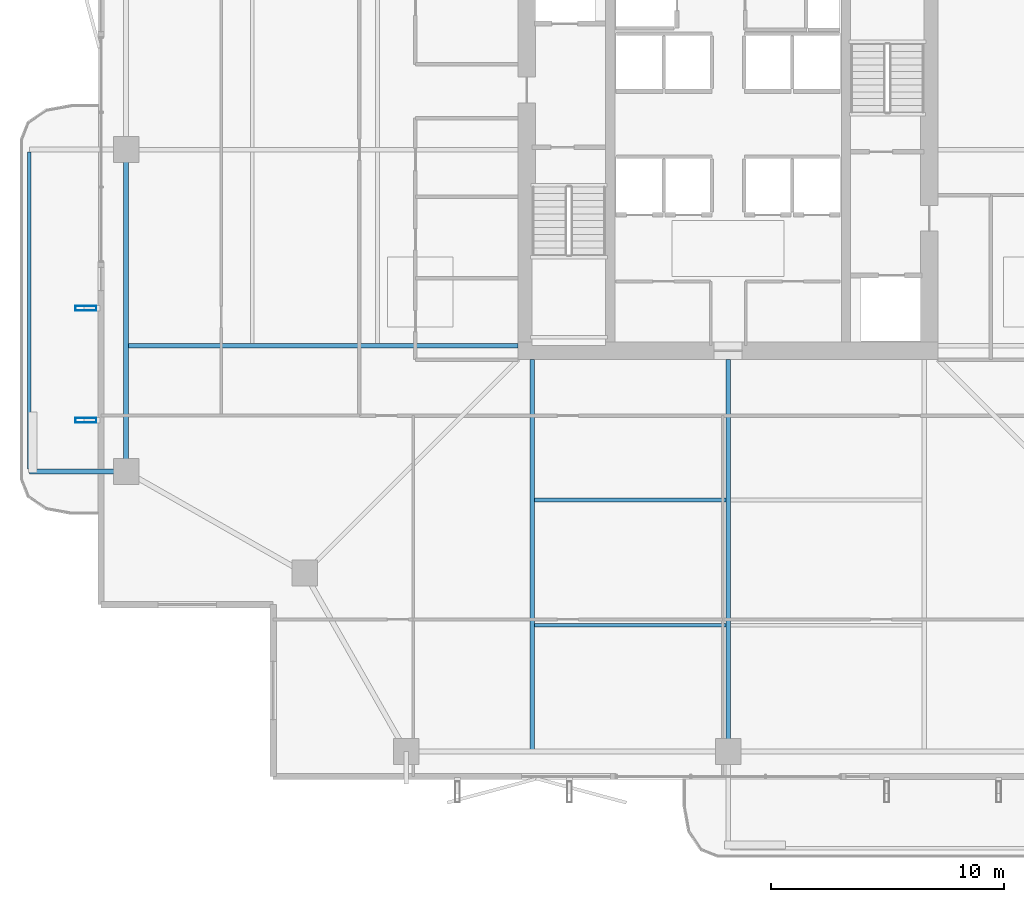
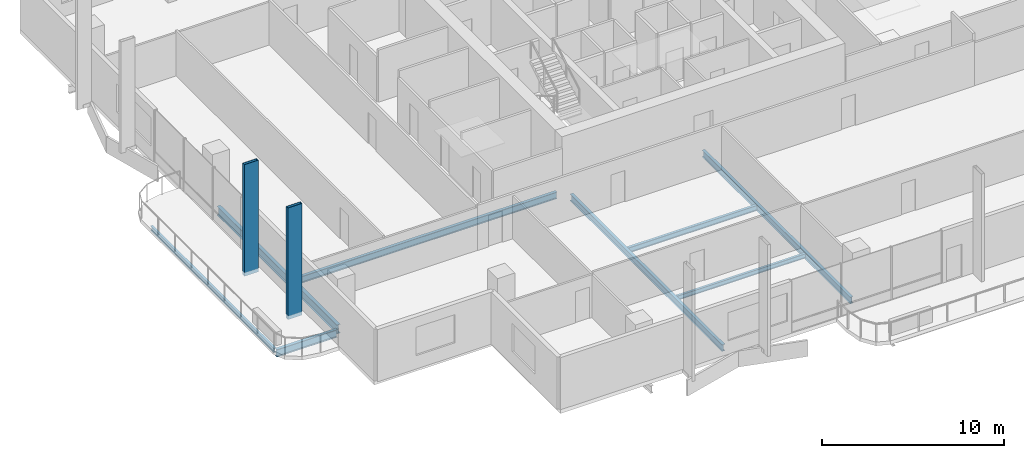
# One storey, part 3 of 24: 8 beams, 2 members.
"""IFC4 building model written with IfcOpenShell, lengths in metres."""

from ifc_helpers import new_model, si_unit, direction, frame, origin, origin_2d, place, context, subcontext, project, spatial, hollow_rectangle, i_section, extrude, material, material_profile, profile_set, type_object, element, save


model = new_model("IFC4")

# Units and contexts
model_context = context("Model", 3, precision=1e-05, world=origin(), true_north=direction((0.0, 1.0)))
body_context = subcontext(model_context, "Body", "Model", "MODEL_VIEW")
ifc_project = project(units=[si_unit("LENGTHUNIT", "METRE"), si_unit("AREAUNIT", "SQUARE_METRE"), si_unit("VOLUMEUNIT", "CUBIC_METRE"), si_unit("PLANEANGLEUNIT", "RADIAN"), si_unit("MASSUNIT", "GRAM", prefix="KILO")], contexts=[model_context])

# Site, building, storey
site_placement = place(None, origin())
site = spatial("IfcSite", under=ifc_project, at=site_placement, CompositionType="ELEMENT")
building_placement = place(site_placement, origin())
building = spatial("IfcBuilding", under=site, at=building_placement, Name="Belovzor Exchange Tower", CompositionType="ELEMENT")
storey_placement = place(building_placement, frame((0.0, 0.0, 226.199951171875)))
storey = spatial("IfcBuildingStorey", under=building, at=storey_placement, Name="L56", CompositionType="ELEMENT", Elevation=226.199951171875)

# Beams
ifc_material_1 = material(Name="Steel S355", Category="steel")
ifc_material_profile_1 = material_profile(ifc_material_1, i_section(OverallWidth=0.199951171875, OverallDepth=0.5, WebThickness=0.01025390625, FlangeThickness=0.01611328125, at=origin_2d()))
ifc_profile_set_1 = profile_set([ifc_material_profile_1], Name="Steel S355")
beam_type_1 = type_object("IfcBeamType", Name="Planted Balcony Cantilever Beam IPE 500", PredefinedType="BEAM", material=ifc_profile_set_1)
beam_1_placement = place(storey_placement, frame((2.697021484375, 15.0, -0.5), z_axis=(-1.0, 0.0, 0.0), x_axis=(0.0, -1.0, 0.0)))
element("IfcBeam", 1, at=beam_1_placement, inside=storey, type_object=beam_type_1, Name="BC-500 Planted Balcony Cantilever Beam IPE 500", PredefinedType="BEAM", context=body_context, shape_type="SweptSolid", body=[
    extrude(i_section(OverallWidth=0.199951171875, OverallDepth=0.5, WebThickness=0.01025390625, FlangeThickness=0.01611328125, at=origin_2d()), origin(), (0.0, 0.0, 1.0), 3.85009765625),
])
ifc_material_2 = material(Name="Steel S355", Category="steel")
ifc_material_profile_2 = material_profile(ifc_material_2, i_section(OverallWidth=0.14990234375, OverallDepth=0.300048828125, WebThickness=0.007080078125, FlangeThickness=0.0107421875, at=origin_2d()))
ifc_profile_set_2 = profile_set([ifc_material_profile_2], Name="Steel S355")
beam_type_2 = type_object("IfcBeamType", Name="Planted Balcony Fascia Edge Beam IPE 300", PredefinedType="BEAM", material=ifc_profile_set_2)
beam_2_placement = place(storey_placement, frame((-1.153076171875, 28.699951171875, -0.39990234375), z_axis=(0.0, -1.0, 0.0), x_axis=(1.0, 0.0, 0.0)))
element("IfcBeam", 2, at=beam_2_placement, inside=storey, type_object=beam_type_2, Name="BC-300 Planted Balcony Fascia Edge Beam IPE 300", PredefinedType="BEAM", context=body_context, shape_type="SweptSolid", body=[
    extrude(i_section(OverallWidth=0.14990234375, OverallDepth=0.300048828125, WebThickness=0.007080078125, FlangeThickness=0.0107421875, at=origin_2d()), origin(), (0.0, 0.0, 1.0), 13.599853515625),
])
ifc_material_3 = material(Name="Steel S355", Category="steel")
ifc_material_profile_3 = material_profile(ifc_material_3, i_section(OverallWidth=0.169921875, OverallDepth=0.360107421875, WebThickness=0.008056640625, FlangeThickness=0.0126953125, at=origin_2d()))
ifc_profile_set_3 = profile_set([ifc_material_profile_3], Name="Steel S355")
beam_type_3 = type_object("IfcBeamType", Name="Secondary Infill Floor Joist IPE 360", PredefinedType="BEAM", material=ifc_profile_set_3)
beam_3_placement = place(storey_placement, frame((20.4951171875, 13.77197265625, -0.429931640625), z_axis=(1.0, 0.0, 0.0), x_axis=(0.0, 1.0, 0.0)))
element("IfcBeam", 3, at=beam_3_placement, inside=storey, type_object=beam_type_3, Name="FJ-360 Secondary Infill Floor Joist IPE 360", PredefinedType="BEAM", context=body_context, shape_type="SweptSolid", body=[
    extrude(i_section(OverallWidth=0.169921875, OverallDepth=0.360107421875, WebThickness=0.008056640625, FlangeThickness=0.0126953125, at=origin_2d()), origin(), (0.0, 0.0, 1.0), 8.2099609375),
])
ifc_material_4 = material(Name="Steel S355", Category="steel")
ifc_material_profile_4 = material_profile(ifc_material_4, i_section(OverallWidth=0.14990234375, OverallDepth=0.300048828125, WebThickness=0.007080078125, FlangeThickness=0.0107421875, at=origin_2d()))
ifc_profile_set_4 = profile_set([ifc_material_profile_4], Name="Steel S355")
beam_type_4 = type_object("IfcBeamType", Name="Secondary Trim Floor Joist IPE 300", PredefinedType="BEAM", material=ifc_profile_set_4)
beam_4_placement = place(storey_placement, frame((20.4951171875, 8.4130859375, -0.39990234375), z_axis=(1.0, 0.0, 0.0), x_axis=(0.0, 1.0, 0.0)))
element("IfcBeam", 4, at=beam_4_placement, inside=storey, type_object=beam_type_4, Name="FJ-300 Secondary Trim Floor Joist IPE 300", PredefinedType="BEAM", context=body_context, shape_type="SweptSolid", body=[
    extrude(i_section(OverallWidth=0.14990234375, OverallDepth=0.300048828125, WebThickness=0.007080078125, FlangeThickness=0.0107421875, at=origin_2d()), origin(), (0.0, 0.0, 1.0), 8.2099609375),
])

# Members
ifc_material_5 = material(Name="Extruded Architectural Terracotta on Steel S355 Carrier", Category="masonry")
ifc_material_profile_5 = material_profile(ifc_material_5, hollow_rectangle(XDim=0.199951171875, YDim=0.89990234375, WallThickness=0.011962890625, at=origin_2d()))
ifc_profile_set_5 = profile_set([ifc_material_profile_5], Name="Extruded Architectural Terracotta on Steel S355 Carrier")
member_type = type_object("IfcMemberType", Name="Sweeping Terracotta Baguette Fin Assembly 950", PredefinedType="USERDEFINED", material=ifc_profile_set_5)
for number, where, z_axis, x_axis, name in (
    (5, (1.27490234375, 17.199951171875, -0.25), (0.0, 0.0, 1.0), (0.0, 1.0, 0.0), "FIN-TC095 Terracotta Facade Fin L56 W1"),
    (6, (1.27490234375, 22.0, -0.25), (0.0, 0.0, 1.0), (0.0, 1.0, 0.0), "FIN-TC095 Terracotta Facade Fin L56 W2"),
):
    element("IfcMember", number, at=place(storey_placement, frame(where, z_axis=z_axis, x_axis=x_axis)), inside=storey, type_object=member_type, Name=name, ObjectType="FIN", PredefinedType="USERDEFINED", context=body_context, shape_type="SweptSolid", body=[
        extrude(hollow_rectangle(XDim=0.199951171875, YDim=0.89990234375, WallThickness=0.011962890625, at=origin_2d()), origin(), (0.0, 0.0, 1.0), 7.5),
    ])

# Beams
ifc_material_6 = material(Name="Steel S355", Category="steel")
ifc_material_profile_6 = material_profile(ifc_material_6, i_section(OverallWidth=0.18994140625, OverallDepth=0.449951171875, WebThickness=0.009521484375, FlangeThickness=0.0146484375, at=origin_2d()))
ifc_profile_set_6 = profile_set([ifc_material_profile_6], Name="Steel S355")
beam_type_5 = type_object("IfcBeamType", Name="Zone 2-4 Radial Composite Floor Beam IPE 450", PredefinedType="BEAM", material=ifc_profile_set_6)
beam_5_placement = place(storey_placement, frame((20.39990234375, 19.800048828125, -0.474853515625), z_axis=(0.0, -1.0, 0.0), x_axis=(1.0, 0.0, 0.0)))
element("IfcBeam", 7, at=beam_5_placement, inside=storey, type_object=beam_type_5, Name="FB-450 Zone 2-4 Radial Composite Floor Beam IPE 450", PredefinedType="BEAM", context=body_context, shape_type="SweptSolid", body=[
    extrude(i_section(OverallWidth=0.18994140625, OverallDepth=0.449951171875, WebThickness=0.009521484375, FlangeThickness=0.0146484375, at=origin_2d()), origin(), (0.0, 0.0, 1.0), 16.7451171875),
])
beam_6_placement = place(storey_placement, frame((28.800048828125, 19.800048828125, -0.474853515625), z_axis=(0.0, -1.0, 0.0), x_axis=(1.0, 0.0, 0.0)))
element("IfcBeam", 8, at=beam_6_placement, inside=storey, type_object=beam_type_5, Name="FB-450 Zone 2-4 Radial Composite Floor Beam IPE 450", PredefinedType="BEAM", context=body_context, shape_type="SweptSolid", body=[
    extrude(i_section(OverallWidth=0.18994140625, OverallDepth=0.449951171875, WebThickness=0.009521484375, FlangeThickness=0.0146484375, at=origin_2d()), origin(), (0.0, 0.0, 1.0), 16.316162109375),
])
beam_7_placement = place(storey_placement, frame((19.800048828125, 20.39990234375, -0.474853515625), z_axis=(-1.0, 0.0, 0.0), x_axis=(0.0, -1.0, 0.0)))
element("IfcBeam", 9, at=beam_7_placement, inside=storey, type_object=beam_type_5, Name="FB-450 Zone 2-4 Radial Composite Floor Beam IPE 450", PredefinedType="BEAM", context=body_context, shape_type="SweptSolid", body=[
    extrude(i_section(OverallWidth=0.18994140625, OverallDepth=0.449951171875, WebThickness=0.009521484375, FlangeThickness=0.0146484375, at=origin_2d()), origin(), (0.0, 0.0, 1.0), 16.7451171875),
])
ifc_material_7 = material(Name="Steel S355", Category="steel")
ifc_material_profile_7 = material_profile(ifc_material_7, i_section(OverallWidth=0.219970703125, OverallDepth=0.60009765625, WebThickness=0.011962890625, FlangeThickness=0.01904296875, at=origin_2d()))
ifc_profile_set_7 = profile_set([ifc_material_profile_7], Name="Steel S355")
beam_type_6 = type_object("IfcBeamType", Name="Zone 4 Flare Primary Girder IPE 600", PredefinedType="BEAM", material=ifc_profile_set_7)
beam_8_placement = place(storey_placement, frame((3.0, 28.498046875, -0.550048828125), z_axis=(0.0, -1.0, 0.0), x_axis=(1.0, 0.0, 0.0)))
element("IfcBeam", 10, at=beam_8_placement, inside=storey, type_object=beam_type_6, Name="FG-Z4 Zone 4 Flare Primary Girder IPE 600", PredefinedType="BEAM", context=body_context, shape_type="SweptSolid", body=[
    extrude(i_section(OverallWidth=0.219970703125, OverallDepth=0.60009765625, WebThickness=0.011962890625, FlangeThickness=0.01904296875, at=origin_2d()), origin(), (0.0, 0.0, 1.0), 13.195068359375),
])

save(model, "model.ifc")
